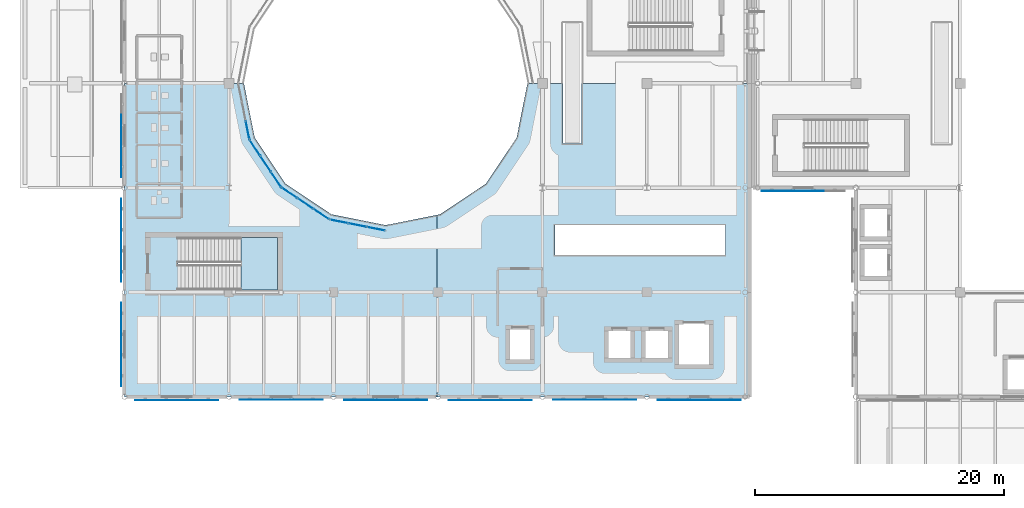
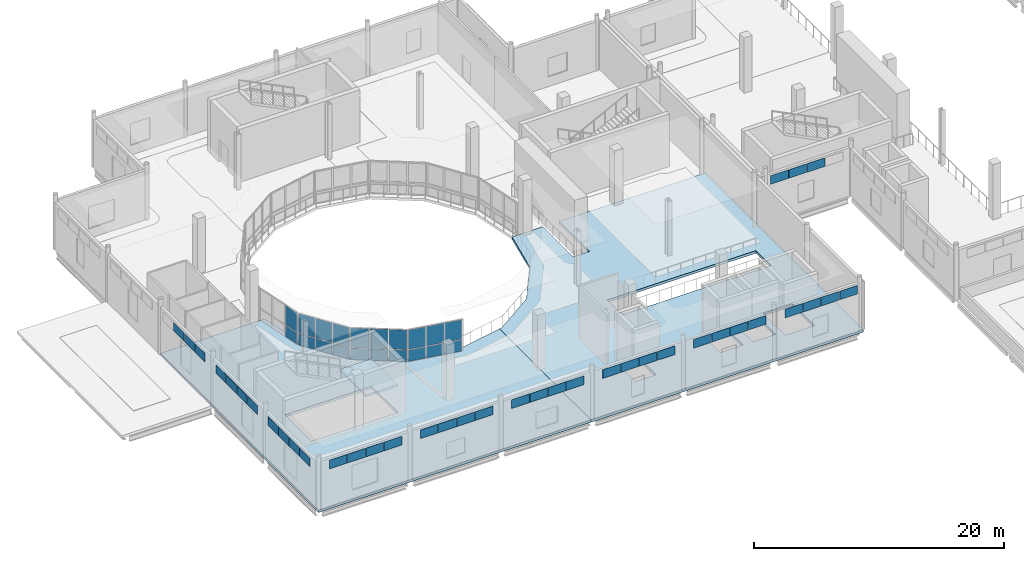
# One storey, part 56 of 110: 58 plates, 3 slabs, 5 elements without a shape of their own.
"""IFC4 building model written with IfcOpenShell, lengths in metres."""

from ifc_helpers import new_model, si_unit, direction, frame, origin, origin_2d, place, context, subcontext, project, spatial, polyline, rectangle, outline, extrude, material, layer, layer_set, type_object, element, aggregate, save


model = new_model("IFC4")

# Units and contexts
model_context = context("Model", 3, precision=1e-05, world=origin(), true_north=direction((0.0, 1.0)))
body_context = subcontext(model_context, "Body", "Model", "MODEL_VIEW")
ifc_project = project(units=[si_unit("LENGTHUNIT", "METRE"), si_unit("AREAUNIT", "SQUARE_METRE"), si_unit("VOLUMEUNIT", "CUBIC_METRE"), si_unit("PLANEANGLEUNIT", "RADIAN"), si_unit("MASSUNIT", "GRAM", prefix="KILO"), si_unit("THERMODYNAMICTEMPERATUREUNIT", "KELVIN")], contexts=[model_context])

# Site, building, storey
site_placement = place(None, origin())
site = spatial("IfcSite", under=ifc_project, at=site_placement, CompositionType="ELEMENT")
building_placement = place(site_placement, origin())
building = spatial("IfcBuilding", under=site, at=building_placement, Name="Lustrewick Department Store", CompositionType="ELEMENT")
storey_placement = place(building_placement, frame((0.0, 0.0, 6.0)))
storey = spatial("IfcBuildingStorey", under=building, at=storey_placement, Name="L02", CompositionType="ELEMENT", Elevation=6.0)

# Curtain wall, plates
ifc_material_1 = material(Name="Thermally broken aluminium 6063-T5", Category="aluminium")
ifc_layer_1 = layer(ifc_material_1, 0.169921875, Name="Thermally broken aluminium 6063-T5")
ifc_layer_set_1 = layer_set([ifc_layer_1], Name="Thermally broken aluminium 6063-T5")
curtain_wall_type_1 = type_object("IfcCurtainWallType", Name="CW16", PredefinedType="NOTDEFINED", material=ifc_layer_set_1)
curtain_wall_1_placement = place(storey_placement, origin())
curtain_wall_1 = element("IfcCurtainWall", 1, at=curtain_wall_1_placement, inside=storey, type_object=curtain_wall_type_1, Name="L02 Atrium Glazed Screen CW16", PredefinedType="NOTDEFINED")
ifc_material_2 = material(Name="Fire-protective atrium safety glass", Category="glass")
ifc_layer_2 = layer(ifc_material_2, 0.02490234375, Name="Fire-protective atrium safety glass")
ifc_layer_set_2 = layer_set([ifc_layer_2], Name="Fire-protective atrium safety glass")
plate_type_1 = type_object("IfcPlateType", Name="CP06", PredefinedType="CURTAIN_PANEL", material=ifc_layer_set_2)
plate_1_placement = place(storey_placement, frame((18.298583984375, 63.43701171875, 0.06494140625), z_axis=(0.0, 0.0, 1.0), x_axis=(0.195084537521, -0.980786430993, 0.0)))
plate_1 = element("IfcPlate", 2, at=plate_1_placement, type_object=plate_type_1, Name="CW16 panel 3.1", PredefinedType="CURTAIN_PANEL", context=body_context, shape_type="SweptSolid", body=[
    extrude(rectangle(XDim=1.443603515625, YDim=0.02490234375, at=origin_2d()), origin(), (0.0, 0.0, 1.0), 1.1025390625),
])
plate_2_placement = place(storey_placement, frame((18.298583984375, 63.43701171875, 1.232421875), z_axis=(0.0, 0.0, 1.0), x_axis=(0.195084537521, -0.980786430993, 0.0)))
plate_2 = element("IfcPlate", 3, at=plate_2_placement, type_object=plate_type_1, Name="CW16 panel 3.2", PredefinedType="CURTAIN_PANEL", context=body_context, shape_type="SweptSolid", body=[
    extrude(rectangle(XDim=1.443603515625, YDim=0.02490234375, at=origin_2d()), origin(), (0.0, 0.0, 1.0), 1.902587890625),
])
aggregate(curtain_wall_1, [plate_1, plate_2])

curtain_wall_2_placement = place(storey_placement, origin())
curtain_wall_2 = element("IfcCurtainWall", 4, at=curtain_wall_2_placement, inside=storey, type_object=curtain_wall_type_1, Name="L02 Atrium Glazed Screen CW16", PredefinedType="NOTDEFINED")
plate_3_placement = place(storey_placement, frame((25.636962890625, 56.098388671875, 0.06494140625), z_axis=(0.0, 0.0, 1.0), x_axis=(0.980786430993, -0.195084537521, 0.0)))
plate_3 = element("IfcPlate", 5, at=plate_3_placement, type_object=plate_type_1, Name="CW16 panel 1.1", PredefinedType="CURTAIN_PANEL", context=body_context, shape_type="SweptSolid", body=[
    extrude(rectangle(XDim=1.443603515625, YDim=0.02490234375, at=origin_2d()), origin(), (0.0, 0.0, 1.0), 1.1025390625),
])
plate_4_placement = place(storey_placement, frame((25.636962890625, 56.098388671875, 1.232421875), z_axis=(0.0, 0.0, 1.0), x_axis=(0.980786430993, -0.195084537521, 0.0)))
plate_4 = element("IfcPlate", 6, at=plate_4_placement, type_object=plate_type_1, Name="CW16 panel 1.2", PredefinedType="CURTAIN_PANEL", context=body_context, shape_type="SweptSolid", body=[
    extrude(rectangle(XDim=1.443603515625, YDim=0.02490234375, at=origin_2d()), origin(), (0.0, 0.0, 1.0), 1.902587890625),
])
plate_5_placement = place(storey_placement, frame((27.132568359375, 55.801025390625, 0.06494140625), z_axis=(0.0, 0.0, 1.0), x_axis=(0.980786430993, -0.195084537521, 0.0)))
plate_5 = element("IfcPlate", 7, at=plate_5_placement, type_object=plate_type_1, Name="CW16 panel 2.1", PredefinedType="CURTAIN_PANEL", context=body_context, shape_type="SweptSolid", body=[
    extrude(rectangle(XDim=1.476318359375, YDim=0.02490234375, at=origin_2d()), origin(), (0.0, 0.0, 1.0), 1.1025390625),
])
plate_6_placement = place(storey_placement, frame((27.132568359375, 55.801025390625, 1.232421875), z_axis=(0.0, 0.0, 1.0), x_axis=(0.980786430993, -0.195084537521, 0.0)))
plate_6 = element("IfcPlate", 8, at=plate_6_placement, type_object=plate_type_1, Name="CW16 panel 2.2", PredefinedType="CURTAIN_PANEL", context=body_context, shape_type="SweptSolid", body=[
    extrude(rectangle(XDim=1.476318359375, YDim=0.02490234375, at=origin_2d()), origin(), (0.0, 0.0, 1.0), 1.902587890625),
])
plate_7_placement = place(storey_placement, frame((28.628173828125, 55.50341796875, 0.06494140625), z_axis=(0.0, 0.0, 1.0), x_axis=(0.980786430993, -0.195084537521, 0.0)))
plate_7 = element("IfcPlate", 9, at=plate_7_placement, type_object=plate_type_1, Name="CW16 panel 3.1", PredefinedType="CURTAIN_PANEL", context=body_context, shape_type="SweptSolid", body=[
    extrude(rectangle(XDim=1.443603515625, YDim=0.02490234375, at=origin_2d()), origin(), (0.0, 0.0, 1.0), 1.1025390625),
])
plate_8_placement = place(storey_placement, frame((28.628173828125, 55.50341796875, 1.232421875), z_axis=(0.0, 0.0, 1.0), x_axis=(0.980786430993, -0.195084537521, 0.0)))
plate_8 = element("IfcPlate", 10, at=plate_8_placement, type_object=plate_type_1, Name="CW16 panel 3.2", PredefinedType="CURTAIN_PANEL", context=body_context, shape_type="SweptSolid", body=[
    extrude(rectangle(XDim=1.443603515625, YDim=0.02490234375, at=origin_2d()), origin(), (0.0, 0.0, 1.0), 1.902587890625),
])
aggregate(curtain_wall_2, [plate_3, plate_4, plate_5, plate_6, plate_7, plate_8])

ifc_layer_3 = layer(ifc_material_1, 0.159912109375, Name="Thermally broken aluminium 6063-T5")
ifc_layer_set_3 = layer_set([ifc_layer_3], Name="Thermally broken aluminium 6063-T5")
curtain_wall_type_2 = type_object("IfcCurtainWallType", Name="CW17", PredefinedType="NOTDEFINED", material=ifc_layer_set_3)
curtain_wall_3_placement = place(storey_placement, origin())
curtain_wall_3 = element("IfcCurtainWall", 11, at=curtain_wall_3_placement, inside=storey, type_object=curtain_wall_type_2, Name="L02 Atrium Glazed Screen CW17", PredefinedType="NOTDEFINED")
ifc_layer_4 = layer(ifc_material_2, 0.027099609375, Name="Fire-protective atrium safety glass")
ifc_layer_set_4 = layer_set([ifc_layer_4], Name="Fire-protective atrium safety glass")
plate_type_2 = type_object("IfcPlateType", Name="CP07", PredefinedType="CURTAIN_PANEL", material=ifc_layer_set_4)
plate_9_placement = place(storey_placement, frame((18.888427734375, 62.011962890625, 0.06005859375), z_axis=(0.0, 0.0, 1.0), x_axis=(0.555578313862, -0.831464212799, 0.0)))
plate_9 = element("IfcPlate", 12, at=plate_9_placement, type_object=plate_type_2, Name="CW17 panel 1.1", PredefinedType="CURTAIN_PANEL", context=body_context, shape_type="SweptSolid", body=[
    extrude(rectangle(XDim=1.451171875, YDim=0.027099609375, at=origin_2d()), origin(), (0.0, 0.0, 1.0), 1.110107421875),
])
plate_10_placement = place(storey_placement, frame((18.888427734375, 62.011962890625, 1.22998046875), z_axis=(0.0, 0.0, 1.0), x_axis=(0.555578313862, -0.831464212799, 0.0)))
plate_10 = element("IfcPlate", 13, at=plate_10_placement, type_object=plate_type_2, Name="CW17 panel 1.2", PredefinedType="CURTAIN_PANEL", context=body_context, shape_type="SweptSolid", body=[
    extrude(rectangle(XDim=1.451171875, YDim=0.027099609375, at=origin_2d()), origin(), (0.0, 0.0, 1.0), 1.909912109375),
])
plate_11_placement = place(storey_placement, frame((19.736328125, 60.742919921875, 0.06005859375), z_axis=(0.0, 0.0, 1.0), x_axis=(0.555578313862, -0.831464212799, 0.0)))
plate_11 = element("IfcPlate", 14, at=plate_11_placement, type_object=plate_type_2, Name="CW17 panel 2.1", PredefinedType="CURTAIN_PANEL", context=body_context, shape_type="SweptSolid", body=[
    extrude(rectangle(XDim=1.481201171875, YDim=0.027099609375, at=origin_2d()), origin(), (0.0, 0.0, 1.0), 1.110107421875),
])
plate_12_placement = place(storey_placement, frame((19.736328125, 60.742919921875, 1.22998046875), z_axis=(0.0, 0.0, 1.0), x_axis=(0.555578313862, -0.831464212799, 0.0)))
plate_12 = element("IfcPlate", 15, at=plate_12_placement, type_object=plate_type_2, Name="CW17 panel 2.2", PredefinedType="CURTAIN_PANEL", context=body_context, shape_type="SweptSolid", body=[
    extrude(rectangle(XDim=1.481201171875, YDim=0.027099609375, at=origin_2d()), origin(), (0.0, 0.0, 1.0), 1.909912109375),
])
plate_13_placement = place(storey_placement, frame((20.584228515625, 59.47412109375, 0.06005859375), z_axis=(0.0, 0.0, 1.0), x_axis=(0.555578313862, -0.831464212799, 0.0)))
plate_13 = element("IfcPlate", 16, at=plate_13_placement, type_object=plate_type_2, Name="CW17 panel 3.1", PredefinedType="CURTAIN_PANEL", context=body_context, shape_type="SweptSolid", body=[
    extrude(rectangle(XDim=1.451171875, YDim=0.027099609375, at=origin_2d()), origin(), (0.0, 0.0, 1.0), 1.110107421875),
])
plate_14_placement = place(storey_placement, frame((20.584228515625, 59.47412109375, 1.22998046875), z_axis=(0.0, 0.0, 1.0), x_axis=(0.555578313862, -0.831464212799, 0.0)))
plate_14 = element("IfcPlate", 17, at=plate_14_placement, type_object=plate_type_2, Name="CW17 panel 3.2", PredefinedType="CURTAIN_PANEL", context=body_context, shape_type="SweptSolid", body=[
    extrude(rectangle(XDim=1.451171875, YDim=0.027099609375, at=origin_2d()), origin(), (0.0, 0.0, 1.0), 1.909912109375),
])
aggregate(curtain_wall_3, [plate_9, plate_10, plate_11, plate_12, plate_13, plate_14])

ifc_layer_5 = layer(ifc_material_1, 0.14990234375, Name="Thermally broken aluminium 6063-T5")
ifc_layer_set_5 = layer_set([ifc_layer_5], Name="Thermally broken aluminium 6063-T5")
curtain_wall_type_3 = type_object("IfcCurtainWallType", Name="CW18", PredefinedType="NOTDEFINED", material=ifc_layer_set_5)
curtain_wall_4_placement = place(storey_placement, origin())
curtain_wall_4 = element("IfcCurtainWall", 18, at=curtain_wall_4_placement, inside=storey, type_object=curtain_wall_type_3, Name="L02 Atrium Glazed Screen CW18", PredefinedType="NOTDEFINED")
ifc_material_3 = material(Name="Fire-protective arcade safety glass", Category="glass")
ifc_layer_6 = layer(ifc_material_3, 0.029052734375, Name="Fire-protective arcade safety glass")
ifc_layer_set_6 = layer_set([ifc_layer_6], Name="Fire-protective arcade safety glass")
plate_type_3 = type_object("IfcPlateType", Name="CP08", PredefinedType="CURTAIN_PANEL", material=ifc_layer_set_6)
plate_15_placement = place(storey_placement, frame((21.674072265625, 58.38427734375, 0.06005859375), z_axis=(0.0, 0.0, 1.0), x_axis=(0.831464212799, -0.555578313862, 0.0)))
plate_15 = element("IfcPlate", 19, at=plate_15_placement, type_object=plate_type_3, Name="CW18 panel 1.1", PredefinedType="CURTAIN_PANEL", context=body_context, shape_type="SweptSolid", body=[
    extrude(rectangle(XDim=1.451171875, YDim=0.029052734375, at=origin_2d()), origin(), (0.0, 0.0, 1.0), 1.110107421875),
])
plate_16_placement = place(storey_placement, frame((21.674072265625, 58.38427734375, 1.22998046875), z_axis=(0.0, 0.0, 1.0), x_axis=(0.831464212799, -0.555578313862, 0.0)))
plate_16 = element("IfcPlate", 20, at=plate_16_placement, type_object=plate_type_3, Name="CW18 panel 1.2", PredefinedType="CURTAIN_PANEL", context=body_context, shape_type="SweptSolid", body=[
    extrude(rectangle(XDim=1.451171875, YDim=0.029052734375, at=origin_2d()), origin(), (0.0, 0.0, 1.0), 1.909912109375),
])
plate_17_placement = place(storey_placement, frame((22.943115234375, 57.536376953125, 0.06005859375), z_axis=(0.0, 0.0, 1.0), x_axis=(0.831464212799, -0.555578313862, 0.0)))
plate_17 = element("IfcPlate", 21, at=plate_17_placement, type_object=plate_type_3, Name="CW18 panel 2.1", PredefinedType="CURTAIN_PANEL", context=body_context, shape_type="SweptSolid", body=[
    extrude(rectangle(XDim=1.481201171875, YDim=0.029052734375, at=origin_2d()), origin(), (0.0, 0.0, 1.0), 1.110107421875),
])
plate_18_placement = place(storey_placement, frame((22.943115234375, 57.536376953125, 1.22998046875), z_axis=(0.0, 0.0, 1.0), x_axis=(0.831464212799, -0.555578313862, 0.0)))
plate_18 = element("IfcPlate", 22, at=plate_18_placement, type_object=plate_type_3, Name="CW18 panel 2.2", PredefinedType="CURTAIN_PANEL", context=body_context, shape_type="SweptSolid", body=[
    extrude(rectangle(XDim=1.481201171875, YDim=0.029052734375, at=origin_2d()), origin(), (0.0, 0.0, 1.0), 1.909912109375),
])
plate_19_placement = place(storey_placement, frame((24.2119140625, 56.6884765625, 0.06005859375), z_axis=(0.0, 0.0, 1.0), x_axis=(0.831464212799, -0.555578313862, 0.0)))
plate_19 = element("IfcPlate", 23, at=plate_19_placement, type_object=plate_type_3, Name="CW18 panel 3.1", PredefinedType="CURTAIN_PANEL", context=body_context, shape_type="SweptSolid", body=[
    extrude(rectangle(XDim=1.451171875, YDim=0.029052734375, at=origin_2d()), origin(), (0.0, 0.0, 1.0), 1.110107421875),
])
plate_20_placement = place(storey_placement, frame((24.2119140625, 56.6884765625, 1.22998046875), z_axis=(0.0, 0.0, 1.0), x_axis=(0.831464212799, -0.555578313862, 0.0)))
plate_20 = element("IfcPlate", 24, at=plate_20_placement, type_object=plate_type_3, Name="CW18 panel 3.2", PredefinedType="CURTAIN_PANEL", context=body_context, shape_type="SweptSolid", body=[
    extrude(rectangle(XDim=1.451171875, YDim=0.029052734375, at=origin_2d()), origin(), (0.0, 0.0, 1.0), 1.909912109375),
])
aggregate(curtain_wall_4, [plate_15, plate_16, plate_17, plate_18, plate_19, plate_20])

# Slabs
ifc_material_4 = material(Name="Concrete C30", Category="concrete")
ifc_layer_7 = layer(ifc_material_4, 0.25, Name="Concrete C30")
ifc_layer_set_7 = layer_set([ifc_layer_7], Name="Concrete C30")
slab_type_1 = type_object("IfcSlabType", Name="FS02", PredefinedType="FLOOR", material=ifc_layer_set_7)
slab_1_placement = place(storey_placement, frame((0.0, 0.0, -0.25)))
element("IfcSlab", 25, at=slab_1_placement, inside=storey, type_object=slab_type_1, Name="L02 V1 Floor Slab FS02", PredefinedType="FLOOR", context=body_context, shape_type="SweptSolid", body=[
    extrude(outline(polyline([(8.39990234375, 42.0), (33.52490234375, 42.0), (33.52490234375, 56.62060546875), (29.39990234375, 55.800048828125), (25.037353515625, 56.667724609375), (21.339111328125, 59.138916015625), (18.867919921875, 62.83740234375), (18.0, 67.199951171875), (8.39990234375, 67.199951171875), (8.39990234375, 42.0)]), holes=[polyline([(12.719970703125, 50.60009765625), (12.719970703125, 54.800048828125), (20.699951171875, 54.800048828125), (20.699951171875, 50.60009765625), (12.719970703125, 50.60009765625)])]), origin(), (0.0, 0.0, 1.0), 0.25),
])
slab_2_placement = place(storey_placement, frame((0.0, 0.0, -0.25)))
element("IfcSlab", 26, at=slab_2_placement, inside=storey, type_object=slab_type_1, Name="L02 V1 Floor Slab FS02", PredefinedType="FLOOR", context=body_context, shape_type="SweptSolid", body=[
    extrude(outline(polyline([(58.64990234375, 42.0), (58.64990234375, 67.199951171875), (45.14990234375, 67.199951171875), (45.14990234375, 62.35009765625), (43.64990234375, 62.35009765625), (43.64990234375, 67.199951171875), (40.800048828125, 67.199951171875), (39.93212890625, 62.83740234375), (37.4609375, 59.138916015625), (33.7626953125, 56.667724609375), (33.52490234375, 56.62060546875), (33.52490234375, 42.0), (58.64990234375, 42.0)]), holes=[polyline([(43.0, 53.39990234375), (56.719970703125, 53.39990234375), (56.719970703125, 53.419921875), (56.719970703125, 55.780029296875), (56.719970703125, 55.800048828125), (43.0, 55.800048828125), (43.0, 55.780029296875), (43.0, 53.419921875), (43.0, 53.39990234375)]), polyline([(55.550048828125, 44.449951171875), (55.550048828125, 47.949951171875), (52.85009765625, 47.949951171875), (52.85009765625, 44.449951171875), (55.550048828125, 44.449951171875)]), polyline([(52.25, 44.949951171875), (52.25, 47.449951171875), (50.14990234375, 47.449951171875), (50.14990234375, 44.949951171875), (52.25, 44.949951171875)]), polyline([(49.25, 44.949951171875), (49.25, 47.449951171875), (47.14990234375, 47.449951171875), (47.14990234375, 44.949951171875), (49.25, 44.949951171875)]), polyline([(41.14990234375, 44.85009765625), (41.14990234375, 47.550048828125), (39.25, 47.550048828125), (39.25, 44.85009765625), (41.14990234375, 44.85009765625)])]), origin(), (0.0, 0.0, 1.0), 0.25),
])

# Stair, slab
stair_type = type_object("IfcStairType", Name="ST-H54", PredefinedType="HALF_TURN_STAIR", material=ifc_material_4)
stair_placement = place(storey_placement, origin())
stair = element("IfcStair", 27, at=stair_placement, inside=storey, type_object=stair_type, Name="L02 Smoke-Proof Exit Stair ST01", PredefinedType="HALF_TURN_STAIR")
ifc_layer_8 = layer(ifc_material_4, 0.199951171875, Name="Concrete C30")
ifc_layer_set_8 = layer_set([ifc_layer_8], Name="Concrete C30")
slab_type_2 = type_object("IfcSlabType", Name="LS01", PredefinedType="LANDING", material=ifc_layer_set_8)
slab_3_placement = place(storey_placement, frame((0.0, 0.0, 2.5)))
slab_3 = element("IfcSlab", 28, at=slab_3_placement, type_object=slab_type_2, Name="ST-H54 landing 1", PredefinedType="LANDING", context=body_context, shape_type="SweptSolid", body=[
    extrude(outline(polyline([(17.75, 50.60009765625), (20.699951171875, 50.60009765625), (20.699951171875, 54.800048828125), (17.75, 54.800048828125), (17.75, 50.60009765625)])), origin(), (0.0, 0.0, 1.0), 0.199951171875),
])
aggregate(stair, [slab_3])

# Plates
ifc_material_5 = material(Name="Perforated white powder-coated aluminium 3003-H24", Category="aluminium")
ifc_layer_9 = layer(ifc_material_5, 0.011962890625, Name="Perforated white powder-coated aluminium 3003-H24")
ifc_layer_set_9 = layer_set([ifc_layer_9], Name="Perforated white powder-coated aluminium 3003-H24")
plate_type_4 = type_object("IfcPlateType", Name="PS03", PredefinedType="SHEET", material=ifc_layer_set_9)
for number, where, z_axis, x_axis, name in (
    (29, (8.154052734375, 63.840087890625, 3.77685546875), (0.0, 0.0, 1.0), (0.0, -1.0, 0.0), "L02 Botanical Filigree Cassette PS03 0042"),
    (30, (8.154052734375, 62.159912109375, 3.77685546875), (0.0, 0.0, 1.0), (0.0, -1.0, 0.0), "L02 Botanical Filigree Cassette PS03 0043"),
    (31, (8.154052734375, 60.47998046875, 3.77685546875), (0.0, 0.0, 1.0), (0.0, -1.0, 0.0), "L02 Botanical Filigree Cassette PS03 0044"),
    (32, (8.14404296875, 57.11279296875, 3.77685546875), (0.0, 0.0, 1.0), (0.0, -1.0, 0.0), "L02 Botanical Filigree Cassette PS03 0045"),
    (33, (8.14404296875, 55.4326171875, 3.77685546875), (0.0, 0.0, 1.0), (0.0, -1.0, 0.0), "L02 Botanical Filigree Cassette PS03 0046"),
    (34, (8.14404296875, 53.752685546875, 3.77685546875), (0.0, 0.0, 1.0), (0.0, -1.0, 0.0), "L02 Botanical Filigree Cassette PS03 0047"),
    (35, (8.14404296875, 52.07275390625, 3.77685546875), (0.0, 0.0, 1.0), (0.0, -1.0, 0.0), "L02 Botanical Filigree Cassette PS03 0048"),
    (36, (8.134033203125, 48.727294921875, 3.77685546875), (0.0, 0.0, 1.0), (0.0, -1.0, 0.0), "L02 Botanical Filigree Cassette PS03 0049"),
    (37, (8.134033203125, 47.04736328125, 3.77685546875), (0.0, 0.0, 1.0), (0.0, -1.0, 0.0), "L02 Botanical Filigree Cassette PS03 0050"),
    (38, (8.134033203125, 45.3671875, 3.77685546875), (0.0, 0.0, 1.0), (0.0, -1.0, 0.0), "L02 Botanical Filigree Cassette PS03 0051"),
    (39, (8.134033203125, 43.687255859375, 3.77685546875), (0.0, 0.0, 1.0), (0.0, -1.0, 0.0), "L02 Botanical Filigree Cassette PS03 0052"),
    (40, (10.080078125, 41.73388671875, 3.8671875), (0.0, 0.0, 1.0), (1.0, 0.0, 0.0), "L02 Botanical Filigree Cassette PS03 0053"),
    (41, (11.760009765625, 41.73388671875, 3.8671875), (0.0, 0.0, 1.0), (1.0, 0.0, 0.0), "L02 Botanical Filigree Cassette PS03 0054"),
    (42, (13.43994140625, 41.73388671875, 3.8671875), (0.0, 0.0, 1.0), (1.0, 0.0, 0.0), "L02 Botanical Filigree Cassette PS03 0055"),
    (43, (15.1201171875, 41.73388671875, 3.8671875), (0.0, 0.0, 1.0), (1.0, 0.0, 0.0), "L02 Botanical Filigree Cassette PS03 0056"),
    (44, (18.47998046875, 41.75390625, 3.8671875), (0.0, 0.0, 1.0), (1.0, 0.0, 0.0), "L02 Botanical Filigree Cassette PS03 0057"),
    (45, (20.159912109375, 41.75390625, 3.8671875), (0.0, 0.0, 1.0), (1.0, 0.0, 0.0), "L02 Botanical Filigree Cassette PS03 0058"),
    (46, (21.840087890625, 41.75390625, 3.8671875), (0.0, 0.0, 1.0), (1.0, 0.0, 0.0), "L02 Botanical Filigree Cassette PS03 0059"),
    (47, (23.52001953125, 41.75390625, 3.8671875), (0.0, 0.0, 1.0), (1.0, 0.0, 0.0), "L02 Botanical Filigree Cassette PS03 0060"),
    (48, (26.8798828125, 41.743896484375, 3.8671875), (0.0, 0.0, 1.0), (1.0, 0.0, 0.0), "L02 Botanical Filigree Cassette PS03 0061"),
    (49, (28.56005859375, 41.743896484375, 3.8671875), (0.0, 0.0, 1.0), (1.0, 0.0, 0.0), "L02 Botanical Filigree Cassette PS03 0062"),
    (50, (30.239990234375, 41.743896484375, 3.8671875), (0.0, 0.0, 1.0), (1.0, 0.0, 0.0), "L02 Botanical Filigree Cassette PS03 0063"),
    (51, (31.919921875, 41.743896484375, 3.8671875), (0.0, 0.0, 1.0), (1.0, 0.0, 0.0), "L02 Botanical Filigree Cassette PS03 0064"),
    (52, (35.280029296875, 41.73388671875, 3.8671875), (0.0, 0.0, 1.0), (1.0, 0.0, 0.0), "L02 Botanical Filigree Cassette PS03 0065"),
    (53, (36.9599609375, 41.73388671875, 3.8671875), (0.0, 0.0, 1.0), (1.0, 0.0, 0.0), "L02 Botanical Filigree Cassette PS03 0066"),
    (54, (38.639892578125, 41.73388671875, 3.8671875), (0.0, 0.0, 1.0), (1.0, 0.0, 0.0), "L02 Botanical Filigree Cassette PS03 0067"),
    (55, (40.320068359375, 41.73388671875, 3.8671875), (0.0, 0.0, 1.0), (1.0, 0.0, 0.0), "L02 Botanical Filigree Cassette PS03 0068"),
    (56, (43.679931640625, 41.75390625, 3.8671875), (0.0, 0.0, 1.0), (1.0, 0.0, 0.0), "L02 Botanical Filigree Cassette PS03 0069"),
    (57, (45.360107421875, 41.75390625, 3.8671875), (0.0, 0.0, 1.0), (1.0, 0.0, 0.0), "L02 Botanical Filigree Cassette PS03 0070"),
    (58, (47.0400390625, 41.75390625, 3.8671875), (0.0, 0.0, 1.0), (1.0, 0.0, 0.0), "L02 Botanical Filigree Cassette PS03 0071"),
    (59, (48.719970703125, 41.75390625, 3.8671875), (0.0, 0.0, 1.0), (1.0, 0.0, 0.0), "L02 Botanical Filigree Cassette PS03 0072"),
    (60, (52.10400390625, 41.743896484375, 3.8671875), (0.0, 0.0, 1.0), (1.0, 0.0, 0.0), "L02 Botanical Filigree Cassette PS03 0073"),
    (61, (53.783935546875, 41.743896484375, 3.8671875), (0.0, 0.0, 1.0), (1.0, 0.0, 0.0), "L02 Botanical Filigree Cassette PS03 0074"),
    (62, (55.464111328125, 41.743896484375, 3.8671875), (0.0, 0.0, 1.0), (1.0, 0.0, 0.0), "L02 Botanical Filigree Cassette PS03 0075"),
    (63, (57.14404296875, 41.743896484375, 3.8671875), (0.0, 0.0, 1.0), (1.0, 0.0, 0.0), "L02 Botanical Filigree Cassette PS03 0076"),
):
    element("IfcPlate", number, at=place(storey_placement, frame(where, z_axis=z_axis, x_axis=x_axis)), inside=storey, type_object=plate_type_4, Name=name, PredefinedType="SHEET", context=body_context, shape_type="SweptSolid", body=[
        extrude(rectangle(XDim=1.639892578125, YDim=0.011962890625, at=origin_2d()), origin(), (0.0, 0.0, 1.0), 0.840087890625),
    ])
ifc_material_6 = material(Name="Sage-green enamelled aluminium spandrel 3003-H24", Category="aluminium")
ifc_layer_10 = layer(ifc_material_6, 0.01611328125, Name="Sage-green enamelled aluminium spandrel 3003-H24")
ifc_layer_set_10 = layer_set([ifc_layer_10], Name="Sage-green enamelled aluminium spandrel 3003-H24")
plate_type_5 = type_object("IfcPlateType", Name="PS05", PredefinedType="SHEET", material=ifc_layer_set_10)
for number, where, z_axis, x_axis, name in (
    (64, (60.4560546875, 58.5419921875, 3.77685546875), (0.0, 0.0, 1.0), (1.0, 0.0, 0.0), "L02 Botanical Filigree Cassette PS05 0150"),
    (65, (62.135986328125, 58.5419921875, 3.77685546875), (0.0, 0.0, 1.0), (1.0, 0.0, 0.0), "L02 Botanical Filigree Cassette PS05 0151"),
    (66, (63.81591796875, 58.5419921875, 3.77685546875), (0.0, 0.0, 1.0), (1.0, 0.0, 0.0), "L02 Botanical Filigree Cassette PS05 0152"),
):
    element("IfcPlate", number, at=place(storey_placement, frame(where, z_axis=z_axis, x_axis=x_axis)), inside=storey, type_object=plate_type_5, Name=name, PredefinedType="SHEET", context=body_context, shape_type="SweptSolid", body=[
        extrude(rectangle(XDim=1.639892578125, YDim=0.01611328125, at=origin_2d()), origin(), (0.0, 0.0, 1.0), 0.840087890625),
    ])

save(model, "model.ifc")
